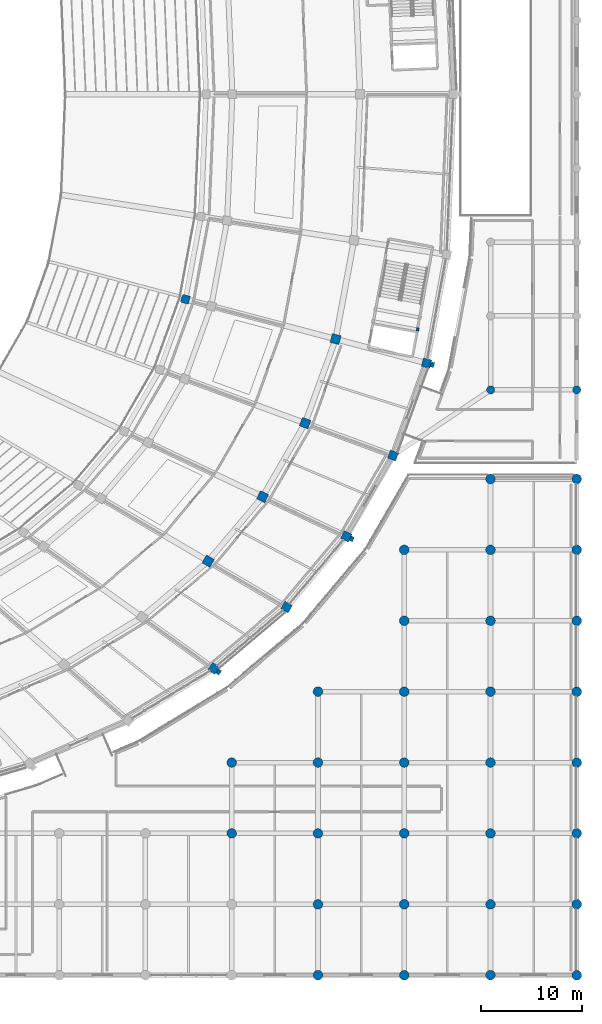
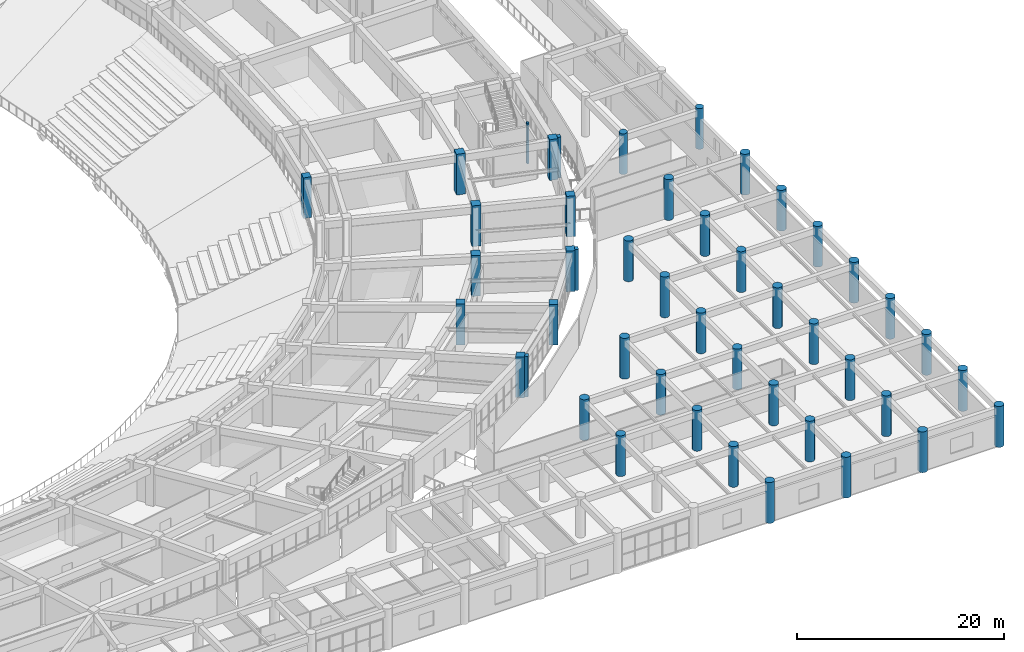
# One storey, part 5 of 152: 46 columns.
"""IFC4 building model written with IfcOpenShell, lengths in metres."""

from ifc_helpers import new_model, si_unit, direction, frame, origin, origin_2d, place, context, subcontext, project, spatial, rectangle, circle, extrude, material, material_profile, profile_set, type_object, element, save


model = new_model("IFC4")

# Units and contexts
model_context = context("Model", 3, precision=1e-05, world=origin(), true_north=direction((0.0, 1.0)))
body_context = subcontext(model_context, "Body", "Model", "MODEL_VIEW")
ifc_project = project(units=[si_unit("LENGTHUNIT", "METRE"), si_unit("AREAUNIT", "SQUARE_METRE"), si_unit("VOLUMEUNIT", "CUBIC_METRE"), si_unit("PLANEANGLEUNIT", "RADIAN"), si_unit("MASSUNIT", "GRAM", prefix="KILO")], contexts=[model_context])

# Site, building, storey
site_placement = place(None, origin())
site = spatial("IfcSite", under=ifc_project, at=site_placement, CompositionType="ELEMENT")
building_placement = place(site_placement, origin())
building = spatial("IfcBuilding", under=site, at=building_placement, Name="Mphavela Belvedere Stadium", CompositionType="ELEMENT")
storey_placement = place(building_placement, frame((0.0, 0.0, 5.39990234375)))
storey = spatial("IfcBuildingStorey", under=building, at=storey_placement, Name="L01", CompositionType="ELEMENT", Elevation=5.39990234375)

# Columns
ifc_material_1 = material(Name="Concrete C40/50", Category="concrete")
ifc_material_profile_1 = material_profile(ifc_material_1, rectangle(XDim=0.300048828125, YDim=0.219970703125, at=origin_2d()), Name="RC 300x220")
ifc_profile_set_1 = profile_set([ifc_material_profile_1], Name="Concrete C40/50")
column_type_1 = type_object("IfcColumnType", Name="COL-CORE-POST-300", PredefinedType="COLUMN", material=ifc_profile_set_1)
column_1_placement = place(storey_placement, frame((214.28955078125, 63.768798828125, 0.0), z_axis=(0.0, 0.0, 1.0), x_axis=(-0.182578735093, -0.983191235463, 0.0)))
element("IfcColumn", 1, at=column_1_placement, inside=storey, type_object=column_type_1, Name="Core C12 stair frame column L01-3", PredefinedType="COLUMN", context=body_context, shape_type="SweptSolid", body=[
    extrude(rectangle(XDim=0.300048828125, YDim=0.219970703125, at=origin_2d()), origin(), (0.0, 0.0, 1.0), 4.800048828125),
])
ifc_material_2 = material(Name="Concrete C40/50", Category="concrete")
ifc_material_profile_2 = material_profile(ifc_material_2, circle(Radius=0.47509765625, at=origin_2d()), Name="COL D950")
ifc_profile_set_2 = profile_set([ifc_material_profile_2], Name="Concrete C40/50")
column_type_2 = type_object("IfcColumnType", Name="COL-DORIC-950", PredefinedType="COLUMN", material=ifc_profile_set_2)
for number, where, z_axis, x_axis, name in (
    (2, (195.926025390625, 14.0, 0.0), (0.0, 0.0, 1.0), (1.0, 0.0, 0.0), "South Axial Triumphal Peristyle Portico classical column L01 24-3"),
    (3, (195.926025390625, 21.0, 0.0), (0.0, 0.0, 1.0), (1.0, 0.0, 0.0), "South Axial Triumphal Peristyle Portico classical column L01 24-4"),
    (4, (204.444091796875, 0.0, 0.0), (0.0, 0.0, 1.0), (1.0, 0.0, 0.0), "South Axial Triumphal Peristyle Portico classical column L01 25-1"),
    (5, (204.444091796875, 7.0, 0.0), (0.0, 0.0, 1.0), (1.0, 0.0, 0.0), "South Axial Triumphal Peristyle Portico classical column L01 25-2"),
    (6, (204.444091796875, 14.0, 0.0), (0.0, 0.0, 1.0), (1.0, 0.0, 0.0), "South Axial Triumphal Peristyle Portico classical column L01 25-3"),
    (7, (204.444091796875, 21.0, 0.0), (0.0, 0.0, 1.0), (1.0, 0.0, 0.0), "South Axial Triumphal Peristyle Portico classical column L01 25-4"),
    (8, (204.444091796875, 28.0, 0.0), (0.0, 0.0, 1.0), (1.0, 0.0, 0.0), "South Axial Triumphal Peristyle Portico classical column L01 25-5"),
    (9, (212.962890625, 0.0, 0.0), (0.0, 0.0, 1.0), (1.0, 0.0, 0.0), "South Axial Triumphal Peristyle Portico classical column L01 26-1"),
    (10, (212.962890625, 7.0, 0.0), (0.0, 0.0, 1.0), (1.0, 0.0, 0.0), "South Axial Triumphal Peristyle Portico classical column L01 26-2"),
    (11, (212.962890625, 14.0, 0.0), (0.0, 0.0, 1.0), (1.0, 0.0, 0.0), "South Axial Triumphal Peristyle Portico classical column L01 26-3"),
    (12, (212.962890625, 21.0, 0.0), (0.0, 0.0, 1.0), (1.0, 0.0, 0.0), "South Axial Triumphal Peristyle Portico classical column L01 26-4"),
    (13, (212.962890625, 28.0, 0.0), (0.0, 0.0, 1.0), (1.0, 0.0, 0.0), "South Axial Triumphal Peristyle Portico classical column L01 26-5"),
    (14, (212.962890625, 35.0, 0.0), (0.0, 0.0, 1.0), (1.0, 0.0, 0.0), "South Axial Triumphal Peristyle Portico classical column L01 26-6"),
    (15, (212.962890625, 42.0, 0.0), (0.0, 0.0, 1.0), (1.0, 0.0, 0.0), "South Axial Triumphal Peristyle Portico classical column L01 26-7"),
    (16, (221.48095703125, 0.0, 0.0), (0.0, 0.0, 1.0), (1.0, 0.0, 0.0), "South Axial Triumphal Peristyle Portico classical column L01 27-1"),
    (17, (221.48095703125, 7.0, 0.0), (0.0, 0.0, 1.0), (1.0, 0.0, 0.0), "South Axial Triumphal Peristyle Portico classical column L01 27-2"),
    (18, (221.48095703125, 14.0, 0.0), (0.0, 0.0, 1.0), (1.0, 0.0, 0.0), "South Axial Triumphal Peristyle Portico classical column L01 27-3"),
    (19, (221.48095703125, 21.0, 0.0), (0.0, 0.0, 1.0), (1.0, 0.0, 0.0), "South Axial Triumphal Peristyle Portico classical column L01 27-4"),
    (20, (221.48095703125, 28.0, 0.0), (0.0, 0.0, 1.0), (1.0, 0.0, 0.0), "South Axial Triumphal Peristyle Portico classical column L01 27-5"),
    (21, (221.48095703125, 35.0, 0.0), (0.0, 0.0, 1.0), (1.0, 0.0, 0.0), "South Axial Triumphal Peristyle Portico classical column L01 27-6"),
    (22, (221.48095703125, 42.0, 0.0), (0.0, 0.0, 1.0), (1.0, 0.0, 0.0), "South Axial Triumphal Peristyle Portico classical column L01 27-7"),
    (23, (221.48095703125, 49.0, 0.0), (0.0, 0.0, 1.0), (1.0, 0.0, 0.0), "South Axial Triumphal Peristyle Portico classical column L01 27-8"),
    (24, (230.0, 0.0, 0.0), (0.0, 0.0, 1.0), (1.0, 0.0, 0.0), "South Axial Triumphal Peristyle Portico classical column L01 28-1"),
    (25, (230.0, 7.0, 0.0), (0.0, 0.0, 1.0), (1.0, 0.0, 0.0), "South Axial Triumphal Peristyle Portico classical column L01 28-2"),
    (26, (230.0, 14.0, 0.0), (0.0, 0.0, 1.0), (1.0, 0.0, 0.0), "South Axial Triumphal Peristyle Portico classical column L01 28-3"),
    (27, (230.0, 21.0, 0.0), (0.0, 0.0, 1.0), (1.0, 0.0, 0.0), "South Axial Triumphal Peristyle Portico classical column L01 28-4"),
    (28, (230.0, 28.0, 0.0), (0.0, 0.0, 1.0), (1.0, 0.0, 0.0), "South Axial Triumphal Peristyle Portico classical column L01 28-5"),
    (29, (230.0, 35.0, 0.0), (0.0, 0.0, 1.0), (1.0, 0.0, 0.0), "South Axial Triumphal Peristyle Portico classical column L01 28-6"),
    (30, (230.0, 42.0, 0.0), (0.0, 0.0, 1.0), (1.0, 0.0, 0.0), "South Axial Triumphal Peristyle Portico classical column L01 28-7"),
    (31, (230.0, 49.0, 0.0), (0.0, 0.0, 1.0), (1.0, 0.0, 0.0), "South Axial Triumphal Peristyle Portico classical column L01 28-8"),
):
    element("IfcColumn", number, at=place(storey_placement, frame(where, z_axis=z_axis, x_axis=x_axis)), inside=storey, type_object=column_type_2, Name=name, PredefinedType="COLUMN", context=body_context, shape_type="SweptSolid", body=[
        extrude(circle(Radius=0.47509765625, at=origin_2d()), origin(), (0.0, 0.0, 1.0), 4.800048828125),
    ])
ifc_material_3 = material(Name="Concrete C40/50", Category="concrete")
ifc_material_profile_3 = material_profile(ifc_material_3, circle(Radius=0.39990234375, at=origin_2d()), Name="COL D800")
ifc_profile_set_3 = profile_set([ifc_material_profile_3], Name="Concrete C40/50")
column_type_3 = type_object("IfcColumnType", Name="COL-PERISTYLE-800", PredefinedType="COLUMN", material=ifc_profile_set_3)
for number, where, z_axis, x_axis, name in (
    (32, (221.5, 57.800048828125, 0.0), (0.0, 0.0, 1.0), (1.0, 0.0, 0.0), "East Planted Eaves Peristyle Colonnade classical column L01 8-2"),
    (33, (230.0, 57.800048828125, 0.0), (0.0, 0.0, 1.0), (1.0, 0.0, 0.0), "East Planted Eaves Peristyle Colonnade classical column L01 9-2"),
):
    element("IfcColumn", number, at=place(storey_placement, frame(where, z_axis=z_axis, x_axis=x_axis)), inside=storey, type_object=column_type_3, Name=name, PredefinedType="COLUMN", context=body_context, shape_type="SweptSolid", body=[
        extrude(circle(Radius=0.39990234375, at=origin_2d()), origin(), (0.0, 0.0, 1.0), 4.800048828125),
    ])
ifc_material_4 = material(Name="Concrete C40/50", Category="concrete")
ifc_material_profile_4 = material_profile(ifc_material_4, rectangle(XDim=0.800048828125, YDim=0.800048828125, at=origin_2d()), Name="RC 800x800")
ifc_profile_set_4 = profile_set([ifc_material_profile_4], Name="Concrete C40/50")
column_type_4 = type_object("IfcColumnType", Name="COL-RC800", PredefinedType="COLUMN", material=ifc_profile_set_4)
column_2_placement = place(storey_placement, frame((191.351806640625, 66.75244140625, 0.0), z_axis=(0.0, 0.0, 1.0), x_axis=(0.966600102017, -0.256289373133, 0.0)))
element("IfcColumn", 34, at=column_2_placement, inside=storey, type_object=column_type_4, Name="Inner concourse column L01 R1-47", PredefinedType="COLUMN", context=body_context, shape_type="SweptSolid", body=[
    extrude(rectangle(XDim=0.800048828125, YDim=0.800048828125, at=origin_2d()), origin(), (0.0, 0.0, 1.0), 4.800048828125),
])
ifc_material_5 = material(Name="Concrete C40/50", Category="concrete")
ifc_material_profile_5 = material_profile(ifc_material_5, rectangle(XDim=0.85009765625, YDim=0.85009765625, at=origin_2d()), Name="RC 850x850")
ifc_profile_set_5 = profile_set([ifc_material_profile_5], Name="Concrete C40/50")
column_type_5 = type_object("IfcColumnType", Name="COL-RC850", PredefinedType="COLUMN", material=ifc_profile_set_5)
for number, where, z_axis, x_axis, name in (
    (35, (194.155517578125, 30.285400390625, 0.0), (0.0, 0.0, 1.0), (0.812897512265, -0.582406760395, 0.0), "Outer colonnade column L01 R4-43"),
    (36, (201.33837890625, 36.346435546875, 0.0), (0.0, 0.0, 1.0), (0.862513669207, -0.506033764121, 0.0), "Outer colonnade column L01 R4-44"),
    (37, (207.242431640625, 43.33837890625, 0.0), (0.0, 0.0, 1.0), (0.903858661687, -0.4278311813, 0.0), "Outer colonnade column L01 R4-45"),
    (38, (211.856201171875, 51.317626953125, 0.0), (0.0, 0.0, 1.0), (0.938372433776, -0.34562577382, 0.0), "Outer colonnade column L01 R4-46"),
    (39, (215.16455078125, 60.4375, 0.0), (0.0, 0.0, 1.0), (0.966600102017, -0.256289373133, 0.0), "Outer colonnade column L01 R4-47"),
):
    element("IfcColumn", number, at=place(storey_placement, frame(where, z_axis=z_axis, x_axis=x_axis)), inside=storey, type_object=column_type_5, Name=name, PredefinedType="COLUMN", context=body_context, shape_type="SweptSolid", body=[
        extrude(rectangle(XDim=0.85009765625, YDim=0.85009765625, at=origin_2d()), origin(), (0.0, 0.0, 1.0), 4.800048828125),
    ])
ifc_material_6 = material(Name="Concrete C40/50", Category="concrete")
ifc_material_profile_6 = material_profile(ifc_material_6, rectangle(XDim=0.89990234375, YDim=0.89990234375, at=origin_2d()), Name="RC 900x900")
ifc_profile_set_6 = profile_set([ifc_material_profile_6], Name="Concrete C40/50")
column_type_6 = type_object("IfcColumnType", Name="COL-RC900", PredefinedType="COLUMN", material=ifc_profile_set_6)
for number, where, z_axis, x_axis, name in (
    (40, (193.600341796875, 40.88623046875, 0.0), (0.0, 0.0, 1.0), (0.862513669207, -0.506033764121, 0.0), "Main bowl column L01 R3-44"),
    (41, (198.9755859375, 47.251708984375, 0.0), (0.0, 0.0, 1.0), (0.903858661687, -0.4278311813, 0.0), "Main bowl column L01 R3-45"),
    (42, (203.175537109375, 54.515625, 0.0), (0.0, 0.0, 1.0), (0.938372433776, -0.34562577382, 0.0), "Main bowl column L01 R3-46"),
    (43, (206.1875, 62.818115234375, 0.0), (0.0, 0.0, 1.0), (0.966600102017, -0.256289373133, 0.0), "Main bowl column L01 R3-47"),
):
    element("IfcColumn", number, at=place(storey_placement, frame(where, z_axis=z_axis, x_axis=x_axis)), inside=storey, type_object=column_type_6, Name=name, PredefinedType="COLUMN", context=body_context, shape_type="SweptSolid", body=[
        extrude(rectangle(XDim=0.89990234375, YDim=0.89990234375, at=origin_2d()), origin(), (0.0, 0.0, 1.0), 4.800048828125),
    ])
ifc_material_7 = material(Name="Concrete C40/50", Category="concrete")
ifc_material_profile_7 = material_profile(ifc_material_7, rectangle(XDim=0.5, YDim=0.35009765625, at=origin_2d()), Name="PIL 500x350")
ifc_profile_set_7 = profile_set([ifc_material_profile_7], Name="Concrete C40/50")
column_type_7 = type_object("IfcColumnType", Name="PIL-FLUTED-500", PredefinedType="PILASTER", material=ifc_profile_set_7)
for number, where, z_axis, x_axis, name in (
    (44, (194.645751953125, 29.934326171875, 0.0), (0.0, 0.0, 1.0), (0.582406760395, 0.812897512265, 0.0), "Fluted classical pilaster L01-43"),
    (45, (207.78759765625, 43.08056640625, 0.0), (0.0, 0.0, 1.0), (0.4278311813, 0.903858661687, 0.0), "Fluted classical pilaster L01-45"),
    (46, (215.74755859375, 60.282958984375, 0.0), (0.0, 0.0, 1.0), (0.256289373133, 0.966600102017, 0.0), "Fluted classical pilaster L01-47"),
):
    element("IfcColumn", number, at=place(storey_placement, frame(where, z_axis=z_axis, x_axis=x_axis)), inside=storey, type_object=column_type_7, Name=name, PredefinedType="PILASTER", context=body_context, shape_type="SweptSolid", body=[
        extrude(rectangle(XDim=0.5, YDim=0.35009765625, at=origin_2d()), origin(), (0.0, 0.0, 1.0), 4.800048828125),
    ])

save(model, "model.ifc")
